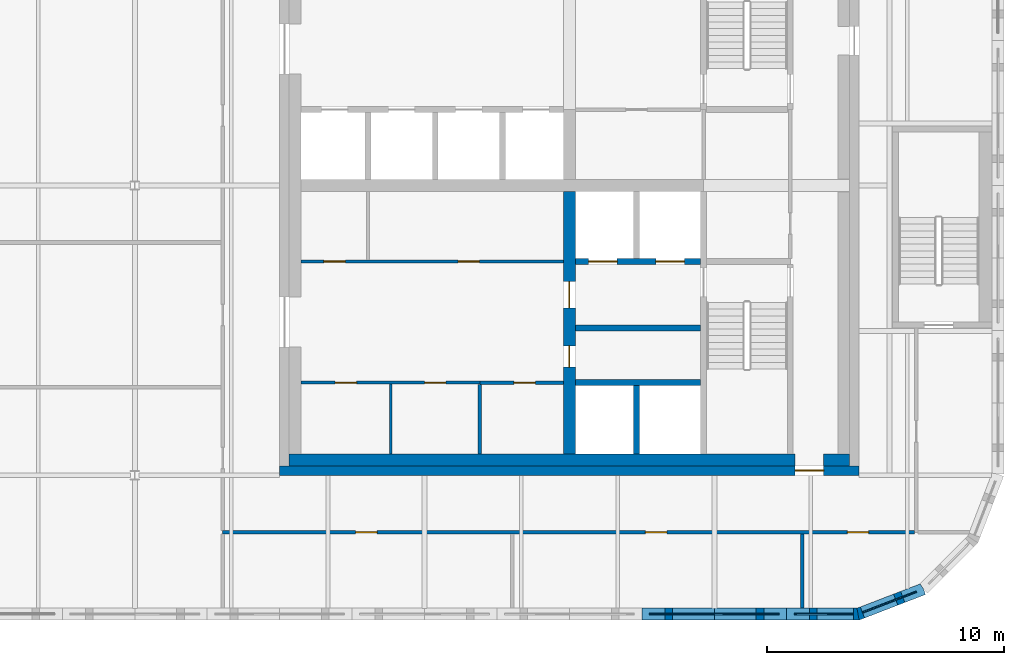
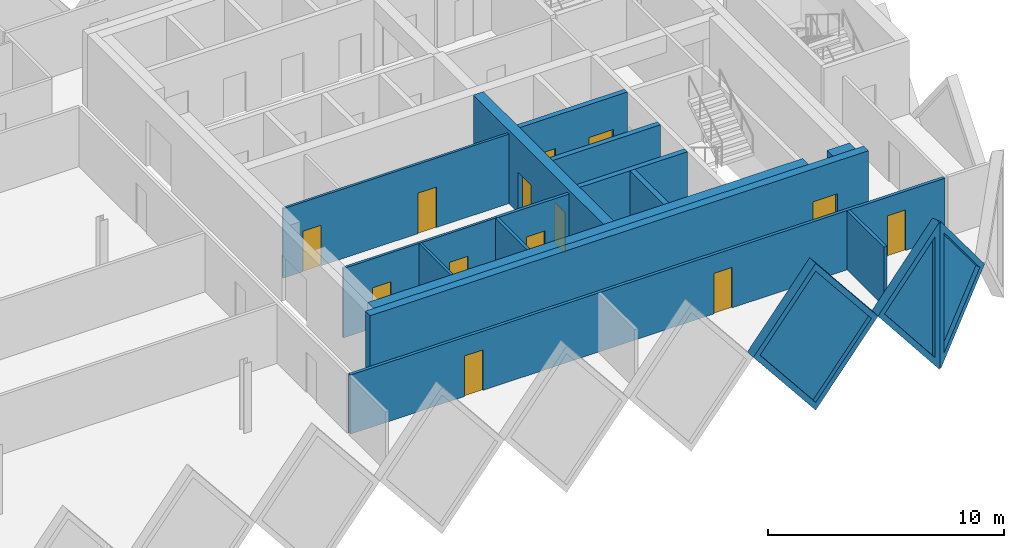
# One storey, part 5 of 10: 18 walls, 13 doors, 3 plates, 16 openings.
"""IFC4 building model written with IfcOpenShell, lengths in metres."""

import ifcopenshell
import ifcopenshell.guid

model = None  # the IFC model being written
_history = None  # IfcOwnerHistory: only IFC2X3 demands one
_inside = {}  # id of a spatial element -> (the spatial element, [elements in it])
_under = {}  # id of a project, library or spatial element -> (it, [spatial elements below it])
_declared = {}  # id of a project -> (the project, [libraries it declares])
_typed = {}  # id of a type object -> (the type object, [elements of that type])
_made_of = {}  # id of a material, layer set ... -> (it, [elements and type objects made of it])


def new_model(schema):
    """Start an empty IFC model of exactly this schema.

    Asked for "IFC4X3", IfcOpenShell would pick the latest addendum, in which some entities
    have other attributes; the version numbers below select the first issue.
    IFC2X3 requires an IfcOwnerHistory on every rooted entity: one is made here for all.
    """
    global model, _history
    if schema == "IFC4X3":
        model = ifcopenshell.file(schema_version=(4, 3, 0, 0))
    else:
        model = ifcopenshell.file(schema=schema)
    _inside.clear()
    _under.clear()
    _declared.clear()
    _typed.clear()
    _made_of.clear()
    _history = None
    if model.schema == "IFC2X3":
        org = make("IfcOrganization", Name="unknown")
        user = make(
            "IfcPersonAndOrganization",
            ThePerson=make("IfcPerson", FamilyName="unknown"),
            TheOrganization=org,
        )
        app = make(
            "IfcApplication",
            ApplicationDeveloper=org,
            Version="unknown",
            ApplicationFullName="unknown",
            ApplicationIdentifier="unknown",
        )
        _history = make(
            "IfcOwnerHistory",
            OwningUser=user,
            OwningApplication=app,
            ChangeAction="ADDED",
            CreationDate=0,
        )
    return model


def make(cls, **values):
    """One entity of the class cls with the attributes given. An attribute that is None is left unset."""
    return model.create_entity(
        cls, **{name: value for name, value in values.items() if value is not None}
    )


def rooted(cls, **values):
    """An entity with a GlobalId (a new one), such as an element, a storey or a relation."""
    return make(cls, GlobalId=ifcopenshell.guid.new(), OwnerHistory=_history, **values)


def si_unit(unit_type, name, prefix=None):
    """IfcSIUnit, for example si_unit("LENGTHUNIT", "METRE", prefix="MILLI")."""
    return make("IfcSIUnit", UnitType=unit_type, Prefix=prefix, Name=name)


def assignment(units):
    """IfcUnitAssignment: the units of a project."""
    return None if units is None else make("IfcUnitAssignment", Units=units)


def point(xyz):
    """IfcCartesianPoint."""
    return None if xyz is None else make("IfcCartesianPoint", Coordinates=xyz)


def direction(xyz):
    """IfcDirection."""
    return None if xyz is None else make("IfcDirection", DirectionRatios=xyz)


def frame(location, z_axis=None, x_axis=None):
    """IfcAxis2Placement3D, a coordinate frame: its origin and axes. An axis left out is left unset."""
    return make(
        "IfcAxis2Placement3D",
        Location=point(location),
        Axis=direction(z_axis),
        RefDirection=direction(x_axis),
    )


def frame_2d(location, x_axis=None):
    """IfcAxis2Placement2D, a coordinate frame in the plane: its origin and x axis."""
    return make(
        "IfcAxis2Placement2D", Location=point(location), RefDirection=direction(x_axis)
    )


def origin():
    """The frame at (0, 0, 0) with its axes left unset."""
    return frame((0.0, 0.0, 0.0))


def place(relative_to, where):
    """IfcLocalPlacement: puts the frame where relative to a parent placement (None: the world)."""
    return make(
        "IfcLocalPlacement", PlacementRelTo=relative_to, RelativePlacement=where
    )


def context(
    kind, dimensions, precision=None, world=None, true_north=None, identifier=None
):
    """IfcGeometricRepresentationContext, for example the 3D "Model" context."""
    return make(
        "IfcGeometricRepresentationContext",
        ContextIdentifier=identifier,
        ContextType=kind,
        CoordinateSpaceDimension=dimensions,
        Precision=precision,
        WorldCoordinateSystem=world,
        TrueNorth=true_north,
    )


def subcontext(parent, identifier, kind, view, scale=None):
    """IfcGeometricRepresentationSubContext, for example "Body" below "Model"."""
    return make(
        "IfcGeometricRepresentationSubContext",
        ContextIdentifier=identifier,
        ContextType=kind,
        ParentContext=parent,
        TargetScale=scale,
        TargetView=view,
    )


def project(units=None, contexts=None):
    """IfcProject with its units and contexts."""
    return rooted(
        "IfcProject",
        Name="project",
        RepresentationContexts=contexts,
        UnitsInContext=assignment(units),
    )


def spatial(cls, under=None, at=None, **own):
    """A site, building, storey or space (cls), placed at a placement, below another one or the project."""
    s = rooted(cls, ObjectPlacement=at, **own)
    if under is not None:
        _under.setdefault(under.id(), (under, []))[1].append(s)
    return s


def polyline(points):
    """IfcPolyline through the points."""
    return make("IfcPolyline", Points=[point(p) for p in points])


def profile(cls, at=None, kind="AREA", **sizes):
    """A parametric profile (cls). Its sizes go by their IFC names, for example OverallWidth=200.0."""
    return make(cls, ProfileType=kind, Position=at, **sizes)


def rectangle(**sizes):
    """IfcRectangleProfileDef."""
    return profile("IfcRectangleProfileDef", **sizes)


def outline(outer, holes=None, kind="AREA"):
    """IfcArbitraryClosedProfileDef: a profile drawn as a closed curve; with holes, ...WithVoids."""
    if holes is None:
        return make("IfcArbitraryClosedProfileDef", ProfileType=kind, OuterCurve=outer)
    return make(
        "IfcArbitraryProfileDefWithVoids",
        ProfileType=kind,
        OuterCurve=outer,
        InnerCurves=holes,
    )


def extrude(swept, where, along, depth):
    """IfcExtrudedAreaSolid: the profile swept, set in the frame where, extruded along a direction by depth."""
    return make(
        "IfcExtrudedAreaSolid",
        SweptArea=swept,
        Position=where,
        ExtrudedDirection=direction(along),
        Depth=depth,
    )


def faces_of(points, faces, orient=None, outer=None):
    """IfcFace entities. A face is a list of loops; a loop is a list of indices into points, from 0.

    orient and outer hold one flag for each loop. By default every Orientation is true, the
    first loop of a face is its IfcFaceOuterBound and the others are IfcFaceBound.
    """
    made = []
    for i, loops in enumerate(faces):
        bounds = []
        for j, loop in enumerate(loops):
            is_outer = j == 0 if outer is None else outer[i][j]
            bounds.append(
                make(
                    "IfcFaceOuterBound" if is_outer else "IfcFaceBound",
                    Bound=make("IfcPolyLoop", Polygon=[points[k] for k in loop]),
                    Orientation=True if orient is None else orient[i][j],
                )
            )
        made.append(make("IfcFace", Bounds=bounds))
    return made


def faceted_brep(points, faces, orient=None, outer=None, voids=None):
    """IfcFacetedBrep: a solid bounded by flat faces; with voids (closed shells), ...WithVoids."""
    shared = [point(p) for p in points]
    hull = make("IfcClosedShell", CfsFaces=faces_of(shared, faces, orient, outer))
    if voids is None:
        return make("IfcFacetedBrep", Outer=hull)
    return make(
        "IfcFacetedBrepWithVoids",
        Outer=hull,
        Voids=[
            make(cls, CfsFaces=faces_of(shared, fs, o, b)) for cls, fs, o, b in voids
        ],
    )


def shape(context_of_items, identifier, shape_type, items):
    """IfcShapeRepresentation: the items that make up one representation, for example the "Body"."""
    return make(
        "IfcShapeRepresentation",
        ContextOfItems=context_of_items,
        RepresentationIdentifier=identifier,
        RepresentationType=shape_type,
        Items=items,
    )


def source(mapping_origin, context_of_items, identifier, shape_type, items):
    """IfcRepresentationMap: a shape defined once, which mapped items show again and again."""
    return make(
        "IfcRepresentationMap",
        MappingOrigin=mapping_origin,
        MappedRepresentation=shape(context_of_items, identifier, shape_type, items),
    )


def transform(
    local_origin,
    x_axis=None,
    y_axis=None,
    z_axis=None,
    scale=None,
    scale2=None,
    scale3=None,
    uniform=True,
):
    """IfcCartesianTransformationOperator3D, or its non-uniform kind. x_axis, y_axis, z_axis: its Axis1, 2, 3."""
    if uniform:
        return make(
            "IfcCartesianTransformationOperator3D",
            Axis1=direction(x_axis),
            Axis2=direction(y_axis),
            LocalOrigin=point(local_origin),
            Scale=scale,
            Axis3=direction(z_axis),
        )
    return make(
        "IfcCartesianTransformationOperator3DnonUniform",
        Axis1=direction(x_axis),
        Axis2=direction(y_axis),
        LocalOrigin=point(local_origin),
        Scale=scale,
        Axis3=direction(z_axis),
        Scale2=scale2,
        Scale3=scale3,
    )


def mapped(mapping_source, mapping_target):
    """IfcMappedItem: shows the shape of a source again, moved by a transform."""
    return make(
        "IfcMappedItem", MappingSource=mapping_source, MappingTarget=mapping_target
    )


def material(Name=None, Category=None):
    """IfcMaterial."""
    return make("IfcMaterial", Name=Name, Category=Category)


def layer(
    of_material, thickness, ventilated=None, Name=None, Category=None, Priority=None
):
    """IfcMaterialLayer: one layer of a wall or slab, of a material (None: an air gap)."""
    return make(
        "IfcMaterialLayer",
        Material=of_material,
        LayerThickness=thickness,
        IsVentilated=ventilated,
        Name=Name,
        Category=Category,
        Priority=Priority,
    )


def layer_set(layers, Name=None):
    """IfcMaterialLayerSet."""
    return make("IfcMaterialLayerSet", MaterialLayers=layers, LayerSetName=Name)


def made_of(thing, what):
    """Note that an element or type object is made of a material, layer set ...; save() writes the relation."""
    if what is not None:
        _made_of.setdefault(what.id(), (what, []))[1].append(thing)
    return thing


def type_object(cls, material=None, **own):
    """A type object (cls), such as IfcWallType, which elements share."""
    return made_of(rooted(cls, **own), material)


def element(
    cls,
    number,
    at=None,
    inside=None,
    cuts=None,
    type_object=None,
    material=None,
    context=None,
    identifier="Body",
    shape_type=None,
    held_by="IfcProductDefinitionShape",
    body=None,
    shapes=None,
    **own,
):
    """One element of the class cls, such as IfcWall. Its Tag is "e" and its number.

    at: its placement. inside: the storey or other place that contains it. cuts: it is an
    opening in that element (IfcRelVoidsElement). A single representation is given by context,
    identifier, shape_type and body (its items); several are given by shapes. held_by: the class
    of the entity that holds the representations. save() writes the other relations.
    """
    e = rooted(cls, Tag="e%d" % number, ObjectPlacement=at, **own)
    if body is not None:
        shapes = [shape(context, identifier, shape_type, body)]
    if shapes is not None:
        e.Representation = make(held_by, Representations=shapes)
    if inside is not None:
        _inside.setdefault(inside.id(), (inside, []))[1].append(e)
    if cuts is not None:
        rooted(
            "IfcRelVoidsElement", RelatingBuildingElement=cuts, RelatedOpeningElement=e
        )
    if type_object is not None:
        _typed.setdefault(type_object.id(), (type_object, []))[1].append(e)
    return made_of(e, material)


def fill(opening, filler):
    """IfcRelFillsElement: the door or window that sits in an opening."""
    return rooted(
        "IfcRelFillsElement",
        RelatingOpeningElement=opening,
        RelatedBuildingElement=filler,
    )


def aggregate(whole, parts):
    """IfcRelAggregates: a whole, such as a stair, and the parts it consists of."""
    return rooted("IfcRelAggregates", RelatingObject=whole, RelatedObjects=parts)


def save(model, path):
    """Write the relations noted so far, then the file.

    IfcRelAggregates (storeys below a building ...), IfcRelContainedInSpatialStructure (elements
    in a storey), IfcRelDefinesByType, IfcRelAssociatesMaterial and IfcRelDeclares: one each for
    every whole, place, type object, material and project.
    """
    for whole, parts in _under.values():
        aggregate(whole, parts)
    for where, things in _inside.values():
        rooted(
            "IfcRelContainedInSpatialStructure",
            RelatedElements=things,
            RelatingStructure=where,
        )
    for kind, things in _typed.values():
        rooted("IfcRelDefinesByType", RelatedObjects=things, RelatingType=kind)
    for what, things in _made_of.values():
        rooted("IfcRelAssociatesMaterial", RelatedObjects=things, RelatingMaterial=what)
    for by, libraries in _declared.values():
        rooted("IfcRelDeclares", RelatingContext=by, RelatedDefinitions=libraries)
    model.write(path)


model = new_model("IFC4")

# Units and contexts
model_context = context("Model", 3, precision=1e-05, world=origin(), true_north=direction((0.0, 1.0)))
body_context = subcontext(model_context, "Body", "Model", "MODEL_VIEW")
ifc_project = project(units=[si_unit("LENGTHUNIT", "METRE"), si_unit("AREAUNIT", "SQUARE_METRE"), si_unit("VOLUMEUNIT", "CUBIC_METRE"), si_unit("PLANEANGLEUNIT", "RADIAN"), si_unit("MASSUNIT", "GRAM", prefix="KILO")], contexts=[model_context])

# Site, building, storey
site_placement = place(None, origin())
site = spatial("IfcSite", under=ifc_project, at=site_placement, CompositionType="ELEMENT")
building_placement = place(site_placement, origin())
building = spatial("IfcBuilding", under=site, at=building_placement, Name="Tessera Gate Towers", CompositionType="ELEMENT")
storey_placement = place(building_placement, frame((0.0, 0.0, 244.5)))
storey = spatial("IfcBuildingStorey", under=building, at=storey_placement, Name="L61", CompositionType="ELEMENT", Elevation=244.5)

# Wall, openings, doors
ifc_material_1 = material(Name="Concrete C40/50", Category="concrete")
ifc_layer_1 = layer(ifc_material_1, 0.25)
ifc_layer_set_1 = layer_set([ifc_layer_1], Name="CORE ENCLOSURE WALL 250")
wall_type_1 = type_object("IfcWallType", Name="CORE ENCLOSURE WALL 250", PredefinedType="SOLIDWALL", material=ifc_layer_set_1)
wall_1_placement = place(storey_placement, frame((48.22509765625, 33.39990234375, 0.0), z_axis=(0.0, 0.0, 1.0), x_axis=(-1.0, 0.0, 0.0)))
wall_1 = element("IfcWall", 1, at=wall_1_placement, inside=storey, type_object=wall_type_1, Name="L61 shaft and stair enclosure wall", PredefinedType="SOLIDWALL", context=body_context, shape_type="SweptSolid", body=[
    extrude(rectangle(XDim=5.275146484375, YDim=0.25, at=frame_2d((2.6376953125, 0.0))), origin(), (0.0, 0.0, 1.0), 3.800048828125),
])
shared_shape_1 = source(origin(), body_context, "Body", "SweptSolid", [
    extrude(rectangle(XDim=1.199951171875, YDim=2.10009765625, at=frame_2d((0.60009765625, 1.050048828125))), frame((0.0, 0.135009765625, 0.0), z_axis=(0.0, -1.0, 0.0), x_axis=(1.0, 0.0, 0.0)), (0.0, 0.0, 1.0), 0.27001953125),
])
opening_1_placement = place(wall_1_placement, frame((3.512451171875, 0.0, 0.0)))
opening_1 = element("IfcOpeningElement", 2, at=opening_1_placement, cuts=wall_1, Name="Opening LD-FF1", PredefinedType="OPENING", context=body_context, shape_type="MappedRepresentation", body=[
    mapped(shared_shape_1, transform((0.0, 0.0, 0.0), scale=1.0)),
])
opening_2_placement = place(wall_1_placement, frame((0.6875, 0.0, 0.0)))
opening_2 = element("IfcOpeningElement", 3, at=opening_2_placement, cuts=wall_1, Name="Opening LD-FF2", PredefinedType="OPENING", context=body_context, shape_type="MappedRepresentation", body=[
    mapped(shared_shape_1, transform((0.0, 0.0, 0.0), scale=1.0)),
])
ifc_material_2 = material(Name="Stainless steel", Category="steel")
door_type_1 = type_object("IfcDoorType", Name="CORE DOOR LD1200 1200x2100", OperationType="DOUBLE_DOOR_SLIDING", PredefinedType="DOOR", material=ifc_material_2)
shared_shape_2 = source(origin(), body_context, "Body", "SweptSolid", [
    extrude(rectangle(XDim=1.199951171875, YDim=2.10009765625, at=frame_2d((0.60009765625, 1.050048828125))), frame((0.0, 0.02490234375, 0.0), z_axis=(0.0, -1.0, 0.0), x_axis=(1.0, 0.0, 0.0)), (0.0, 0.0, 1.0), 0.050048828125),
])
door_1_placement = place(opening_1_placement, origin())
door_1 = element("IfcDoor", 4, at=door_1_placement, inside=storey, type_object=door_type_1, Name="Landing door FF1 L61", OperationType="DOUBLE_DOOR_SLIDING", OverallHeight=2.10009765625, OverallWidth=1.199951171875, PredefinedType="DOOR", context=body_context, shape_type="MappedRepresentation", body=[
    mapped(shared_shape_2, transform((0.0, 0.0, 0.0), scale=1.0)),
])
fill(opening_1, door_1)
door_2_placement = place(opening_2_placement, origin())
door_2 = element("IfcDoor", 5, at=door_2_placement, inside=storey, type_object=door_type_1, Name="Landing door FF2 L61", OperationType="DOUBLE_DOOR_SLIDING", OverallHeight=2.10009765625, OverallWidth=1.199951171875, PredefinedType="DOOR", context=body_context, shape_type="MappedRepresentation", body=[
    mapped(shared_shape_2, transform((0.0, 0.0, 0.0), scale=1.0)),
])
fill(opening_2, door_2)

# Walls
for number, where, z_axis, x_axis, name in (
    (6, (42.949951171875, 28.300048828125, 0.0), (0.0, 0.0, 1.0), (1.0, 0.0, 0.0), "L61 shaft and stair enclosure wall"),
    (7, (42.949951171875, 30.60009765625, 0.0), (0.0, 0.0, 1.0), (1.0, 0.0, 0.0), "L61 shaft and stair enclosure wall"),
):
    element("IfcWall", number, at=place(storey_placement, frame(where, z_axis=z_axis, x_axis=x_axis)), inside=storey, type_object=wall_type_1, Name=name, PredefinedType="SOLIDWALL", context=body_context, shape_type="SweptSolid", body=[
        extrude(rectangle(XDim=5.275146484375, YDim=0.25, at=frame_2d((2.6376953125, 0.0))), origin(), (0.0, 0.0, 1.0), 3.800048828125),
    ])
wall_2_placement = place(storey_placement, frame((45.52490234375, 25.300048828125, 0.0), z_axis=(0.0, 0.0, 1.0), x_axis=(0.0, 1.0, 0.0)))
element("IfcWall", 8, at=wall_2_placement, inside=storey, type_object=wall_type_1, Name="L61 shaft and stair enclosure wall", PredefinedType="SOLIDWALL", context=body_context, shape_type="SweptSolid", body=[
    extrude(rectangle(XDim=2.875, YDim=0.25, at=frame_2d((1.4375, 0.0))), origin(), (0.0, 0.0, 1.0), 3.800048828125),
])

# Wall, openings, doors
ifc_material_3 = material(Name="Gypsum board on steel studs", Category="steel")
ifc_layer_2 = layer(ifc_material_3, 0.1201171875)
ifc_layer_set_2 = layer_set([ifc_layer_2], Name="CORE PARTITION 120")
wall_type_2 = type_object("IfcWallType", Name="CORE PARTITION 120", PredefinedType="PARTITIONING", material=ifc_layer_set_2)
wall_3_placement = place(storey_placement, frame((31.39990234375, 33.39990234375, 0.0), z_axis=(0.0, 0.0, 1.0), x_axis=(1.0, 0.0, 0.0)))
wall_3 = element("IfcWall", 9, at=wall_3_placement, inside=storey, type_object=wall_type_2, Name="L61 core partition", PredefinedType="PARTITIONING", context=body_context, shape_type="SweptSolid", body=[
    extrude(rectangle(XDim=11.050048828125, YDim=0.1201171875, at=frame_2d((5.52490234375, 0.0))), origin(), (0.0, 0.0, 1.0), 3.60009765625),
])
shared_shape_3 = source(origin(), body_context, "Body", "SweptSolid", [
    extrude(rectangle(XDim=0.89990234375, YDim=2.10009765625, at=frame_2d((0.449951171875, 1.050048828125))), frame((0.0, 0.070068359375, 0.0), z_axis=(0.0, -1.0, 0.0), x_axis=(1.0, 0.0, 0.0)), (0.0, 0.0, 1.0), 0.14013671875),
])
opening_3_placement = place(wall_3_placement, frame((0.96240234375, 0.0, 0.0)))
opening_3 = element("IfcOpeningElement", 10, at=opening_3_placement, cuts=wall_3, Name="Opening RD-T1-36-07", PredefinedType="OPENING", context=body_context, shape_type="MappedRepresentation", body=[
    mapped(shared_shape_3, transform((0.0, 0.0, 0.0), scale=1.0)),
])
opening_4_placement = place(wall_3_placement, frame((6.612548828125, 0.0, 0.0)))
opening_4 = element("IfcOpeningElement", 11, at=opening_4_placement, cuts=wall_3, Name="Opening RD-T1-36-08", PredefinedType="OPENING", context=body_context, shape_type="MappedRepresentation", body=[
    mapped(shared_shape_3, transform((0.0, 0.0, 0.0), scale=1.0)),
])
ifc_material_4 = material(Name="Hollow steel fire door", Category="steel")
door_type_2 = type_object("IfcDoorType", Name="CORE DOOR RD 900x2100", OperationType="NOTDEFINED", PredefinedType="DOOR", material=ifc_material_4)
shared_shape_4 = source(origin(), body_context, "Body", "SweptSolid", [
    extrude(rectangle(XDim=0.89990234375, YDim=2.10009765625, at=frame_2d((0.449951171875, 1.050048828125))), frame((0.0, 0.02490234375, 0.0), z_axis=(0.0, -1.0, 0.0), x_axis=(1.0, 0.0, 0.0)), (0.0, 0.0, 1.0), 0.050048828125),
])
door_3_placement = place(opening_3_placement, origin())
door_3 = element("IfcDoor", 12, at=door_3_placement, inside=storey, type_object=door_type_2, Name="Core room door", OperationType="SINGLE_SWING_LEFT", OverallHeight=2.10009765625, OverallWidth=0.89990234375, PredefinedType="DOOR", context=body_context, shape_type="MappedRepresentation", body=[
    mapped(shared_shape_4, transform((0.0, 0.0, 0.0), scale=1.0)),
])
fill(opening_3, door_3)
door_4_placement = place(opening_4_placement, origin())
door_4 = element("IfcDoor", 13, at=door_4_placement, inside=storey, type_object=door_type_2, Name="Core room door", OperationType="SINGLE_SWING_RIGHT", OverallHeight=2.10009765625, OverallWidth=0.89990234375, PredefinedType="DOOR", context=body_context, shape_type="MappedRepresentation", body=[
    mapped(shared_shape_4, transform((0.0, 0.0, 0.0), scale=1.0)),
])
fill(opening_4, door_4)

wall_4_placement = place(storey_placement, frame((38.925048828125, 28.300048828125, 0.0), z_axis=(0.0, 0.0, 1.0), x_axis=(-1.0, 0.0, 0.0)))
wall_4 = element("IfcWall", 14, at=wall_4_placement, inside=storey, type_object=wall_type_2, Name="L61 core partition", PredefinedType="PARTITIONING", context=body_context, shape_type="SweptSolid", body=[
    extrude(rectangle(XDim=7.525146484375, YDim=0.1201171875, at=frame_2d((3.7626953125, 0.0))), origin(), (0.0, 0.0, 1.0), 3.60009765625),
])
opening_5_placement = place(wall_4_placement, frame((5.1875, 0.0, 0.0)))
opening_5 = element("IfcOpeningElement", 15, at=opening_5_placement, cuts=wall_4, Name="Opening RD-T1-36-09", PredefinedType="OPENING", context=body_context, shape_type="MappedRepresentation", body=[
    mapped(shared_shape_3, transform((0.0, 0.0, 0.0), scale=1.0)),
])
opening_6_placement = place(wall_4_placement, frame((1.425048828125, 0.0, 0.0)))
opening_6 = element("IfcOpeningElement", 16, at=opening_6_placement, cuts=wall_4, Name="Opening RD-T1-36-10", PredefinedType="OPENING", context=body_context, shape_type="MappedRepresentation", body=[
    mapped(shared_shape_3, transform((0.0, 0.0, 0.0), scale=1.0)),
])
door_5_placement = place(opening_5_placement, origin())
door_5 = element("IfcDoor", 17, at=door_5_placement, inside=storey, type_object=door_type_2, Name="Core room door", OperationType="SINGLE_SWING_RIGHT", OverallHeight=2.10009765625, OverallWidth=0.89990234375, PredefinedType="DOOR", context=body_context, shape_type="MappedRepresentation", body=[
    mapped(shared_shape_4, transform((0.0, 0.0, 0.0), scale=1.0)),
])
fill(opening_5, door_5)
door_6_placement = place(opening_6_placement, origin())
door_6 = element("IfcDoor", 18, at=door_6_placement, inside=storey, type_object=door_type_2, Name="Core room door", OperationType="SINGLE_SWING_LEFT", OverallHeight=2.10009765625, OverallWidth=0.89990234375, PredefinedType="DOOR", context=body_context, shape_type="MappedRepresentation", body=[
    mapped(shared_shape_4, transform((0.0, 0.0, 0.0), scale=1.0)),
])
fill(opening_6, door_6)

# Wall
wall_5_placement = place(storey_placement, frame((35.175048828125, 25.300048828125, 0.0), z_axis=(0.0, 0.0, 1.0), x_axis=(0.0, 1.0, 0.0)))
element("IfcWall", 19, at=wall_5_placement, inside=storey, type_object=wall_type_2, Name="L61 core partition", PredefinedType="PARTITIONING", context=body_context, shape_type="SweptSolid", body=[
    extrude(rectangle(XDim=2.93994140625, YDim=0.1201171875, at=frame_2d((1.469970703125, 0.0))), origin(), (0.0, 0.0, 1.0), 3.60009765625),
])

# Wall, opening, door
ifc_material_5 = material(Name="Concrete C40/50", Category="concrete")
ifc_layer_3 = layer(ifc_material_5, 0.39990234375)
ifc_layer_set_3 = layer_set([ifc_layer_3], Name="CORE SHEAR WALL 400 C40/50")
wall_type_3 = type_object("IfcWallType", Name="CORE SHEAR WALL 400 C40/50", PredefinedType="SHEAR", material=ifc_layer_set_3)
wall_6_placement = place(storey_placement, frame((54.89990234375, 24.60009765625, 0.0), z_axis=(0.0, 0.0, 1.0), x_axis=(-1.0, 0.0, 0.0)))
wall_6 = element("IfcWall", 20, at=wall_6_placement, inside=storey, type_object=wall_type_3, Name="Core wall S L61", PredefinedType="SHEAR", context=body_context, shape_type="SweptSolid", body=[
    extrude(rectangle(XDim=24.39990234375, YDim=0.39990234375, at=frame_2d((12.199951171875, 0.0))), origin(), (0.0, 0.0, 1.0), 3.800048828125),
])
shared_shape_5 = source(origin(), body_context, "Body", "SweptSolid", [
    extrude(rectangle(XDim=1.199951171875, YDim=2.10009765625, at=frame_2d((0.60009765625, 1.050048828125))), frame((0.0, 0.2099609375, 0.0), z_axis=(0.0, -1.0, 0.0), x_axis=(1.0, 0.0, 0.0)), (0.0, 0.0, 1.0), 0.419921875),
])
opening_7_placement = place(wall_6_placement, frame((1.5, 0.0, 0.0)))
opening_7 = element("IfcOpeningElement", 21, at=opening_7_placement, cuts=wall_6, Name="Opening ED-T1-36-01", PredefinedType="OPENING", context=body_context, shape_type="MappedRepresentation", body=[
    mapped(shared_shape_5, transform((0.0, 0.0, 0.0), scale=1.0)),
])
ifc_material_6 = material(Name="Hollow steel fire door", Category="steel")
door_type_3 = type_object("IfcDoorType", Name="CORE DOOR ED 1200x2100", OperationType="NOTDEFINED", PredefinedType="DOOR", material=ifc_material_6)
door_7_placement = place(opening_7_placement, origin())
door_7 = element("IfcDoor", 22, at=door_7_placement, inside=storey, type_object=door_type_3, Name="Core exit door", OperationType="SINGLE_SWING_LEFT", OverallHeight=2.10009765625, OverallWidth=1.199951171875, PredefinedType="DOOR", context=body_context, shape_type="MappedRepresentation", body=[
    mapped(shared_shape_2, transform((0.0, 0.0, 0.0), scale=1.0)),
])
fill(opening_7, door_7)

# Wall, openings, doors
ifc_material_7 = material(Name="Concrete C40/50", Category="concrete")
ifc_layer_4 = layer(ifc_material_7, 0.5)
ifc_layer_set_4 = layer_set([ifc_layer_4], Name="CORE SPINE WALL 500 C40/50")
wall_type_4 = type_object("IfcWallType", Name="CORE SPINE WALL 500 C40/50", PredefinedType="SHEAR", material=ifc_layer_set_4)
wall_7_placement = place(storey_placement, frame((42.699951171875, 36.35009765625, 0.0), z_axis=(0.0, 0.0, 1.0), x_axis=(0.0, -1.0, 0.0)))
wall_7 = element("IfcWall", 23, at=wall_7_placement, inside=storey, type_object=wall_type_4, Name="Core wall spine L61", PredefinedType="SHEAR", context=body_context, shape_type="SweptSolid", body=[
    extrude(rectangle(XDim=11.050048828125, YDim=0.5, at=frame_2d((5.52490234375, 0.0))), origin(), (0.0, 0.0, 1.0), 3.800048828125),
])
shared_shape_6 = source(origin(), body_context, "Body", "SweptSolid", [
    extrude(rectangle(XDim=0.89990234375, YDim=2.10009765625, at=frame_2d((0.449951171875, 1.050048828125))), frame((0.0, 0.260009765625, 0.0), z_axis=(0.0, -1.0, 0.0), x_axis=(1.0, 0.0, 0.0)), (0.0, 0.0, 1.0), 0.52001953125),
])
opening_8_placement = place(wall_7_placement, frame((6.5, 0.0, 0.0)))
opening_8 = element("IfcOpeningElement", 24, at=opening_8_placement, cuts=wall_7, Name="Opening RD-T1-36-05", PredefinedType="OPENING", context=body_context, shape_type="MappedRepresentation", body=[
    mapped(shared_shape_6, transform((0.0, 0.0, 0.0), scale=1.0)),
])
shared_shape_7 = source(origin(), body_context, "Body", "SweptSolid", [
    extrude(rectangle(XDim=1.10009765625, YDim=2.10009765625, at=frame_2d((0.550048828125, 1.050048828125))), frame((0.0, 0.260009765625, 0.0), z_axis=(0.0, -1.0, 0.0), x_axis=(1.0, 0.0, 0.0)), (0.0, 0.0, 1.0), 0.52001953125),
])
opening_9_placement = place(wall_7_placement, frame((3.800048828125, 0.0, 0.0)))
opening_9 = element("IfcOpeningElement", 25, at=opening_9_placement, cuts=wall_7, Name="Opening FD-T1-36-06", PredefinedType="OPENING", context=body_context, shape_type="MappedRepresentation", body=[
    mapped(shared_shape_7, transform((0.0, 0.0, 0.0), scale=1.0)),
])
door_8_placement = place(opening_8_placement, origin())
door_8 = element("IfcDoor", 26, at=door_8_placement, inside=storey, type_object=door_type_2, Name="Core room door", OperationType="SINGLE_SWING_RIGHT", OverallHeight=2.10009765625, OverallWidth=0.89990234375, PredefinedType="DOOR", context=body_context, shape_type="MappedRepresentation", body=[
    mapped(shared_shape_4, transform((0.0, 0.0, 0.0), scale=1.0)),
])
fill(opening_8, door_8)
ifc_material_8 = material(Name="Hollow steel fire door", Category="steel")
door_type_4 = type_object("IfcDoorType", Name="CORE DOOR FD 1100x2100", OperationType="NOTDEFINED", PredefinedType="DOOR", material=ifc_material_8)
shared_shape_8 = source(origin(), body_context, "Body", "SweptSolid", [
    extrude(rectangle(XDim=1.10009765625, YDim=2.10009765625, at=frame_2d((0.550048828125, 1.050048828125))), frame((0.0, 0.02490234375, 0.0), z_axis=(0.0, -1.0, 0.0), x_axis=(1.0, 0.0, 0.0)), (0.0, 0.0, 1.0), 0.050048828125),
])
door_9_placement = place(opening_9_placement, origin())
door_9 = element("IfcDoor", 27, at=door_9_placement, inside=storey, type_object=door_type_4, Name="Fire-fighting lobby door", OperationType="SINGLE_SWING_LEFT", OverallHeight=2.10009765625, OverallWidth=1.10009765625, PredefinedType="DOOR", context=body_context, shape_type="MappedRepresentation", body=[
    mapped(shared_shape_8, transform((0.0, 0.0, 0.0), scale=1.0)),
])
fill(opening_9, door_9)

# Walls
ifc_material_9 = material(Name="Concrete C40/50", Category="concrete")
ifc_layer_5 = layer(ifc_material_9, 0.5)
ifc_layer_set_5 = layer_set([ifc_layer_5], Name="CORE WALL THICKENING 500")
wall_type_5 = type_object("IfcWallType", Name="CORE WALL THICKENING 500", PredefinedType="SOLIDWALL", material=ifc_layer_set_5)
wall_8_placement = place(storey_placement, frame((30.89990234375, 25.050048828125, 0.0), z_axis=(0.0, 0.0, 1.0), x_axis=(1.0, 0.0, 0.0)))
element("IfcWall", 28, at=wall_8_placement, inside=storey, type_object=wall_type_5, Name="Core wall thickening S L61", PredefinedType="SOLIDWALL", context=body_context, shape_type="SweptSolid", body=[
    extrude(rectangle(XDim=21.300048828125, YDim=0.5, at=frame_2d((10.64990234375, 0.0))), origin(), (0.0, 0.0, 1.0), 3.800048828125),
])
wall_9_placement = place(storey_placement, frame((53.39990234375, 25.050048828125, 0.0), z_axis=(0.0, 0.0, 1.0), x_axis=(1.0, 0.0, 0.0)))
element("IfcWall", 29, at=wall_9_placement, inside=storey, type_object=wall_type_5, Name="Core wall thickening S L61", PredefinedType="SOLIDWALL", context=body_context, shape_type="SweptSolid", body=[
    extrude(rectangle(XDim=1.10009765625, YDim=0.5, at=frame_2d((0.550048828125, 0.0))), origin(), (0.0, 0.0, 1.0), 3.800048828125),
])

# Wall, openings, doors
ifc_material_10 = material(Name="Gypsum board on steel studs, mineral wool", Category="steel")
ifc_layer_6 = layer(ifc_material_10, 0.14990234375)
ifc_layer_set_6 = layer_set([ifc_layer_6], Name="CORRIDOR WALL 150")
wall_type_6 = type_object("IfcWallType", Name="CORRIDOR WALL 150", PredefinedType="PARTITIONING", material=ifc_layer_set_6)
wall_10_placement = place(storey_placement, frame((57.22412109375, 22.0, 0.0), z_axis=(0.0, 0.0, 1.0), x_axis=(-1.0, 0.0, 0.0)))
wall_10 = element("IfcWall", 30, at=wall_10_placement, inside=storey, type_object=wall_type_6, Name="T1-L61-PW-006", PredefinedType="PARTITIONING", context=body_context, shape_type="SweptSolid", body=[
    extrude(rectangle(XDim=29.1240234375, YDim=0.14990234375, at=frame_2d((14.56201171875, 0.0))), origin(), (0.0, 0.0, 1.0), 3.06689453125),
])
shared_shape_9 = source(origin(), body_context, "Body", "SweptSolid", [
    extrude(rectangle(XDim=0.89990234375, YDim=2.10009765625, at=frame_2d((0.449951171875, 1.050048828125))), frame((0.0, 0.0849609375, 0.0), z_axis=(0.0, -1.0, 0.0), x_axis=(1.0, 0.0, 0.0)), (0.0, 0.0, 1.0), 0.169921875),
])
opening_10_placement = place(wall_10_placement, frame((1.923095703125, 0.0, 0.0)))
opening_10 = element("IfcOpeningElement", 31, at=opening_10_placement, cuts=wall_10, Name="Opening D890FD60-A21-01", PredefinedType="OPENING", context=body_context, shape_type="MappedRepresentation", body=[
    mapped(shared_shape_9, transform((0.0, 0.0, 0.0), scale=1.0)),
])
opening_11_placement = place(wall_10_placement, frame((22.6240234375, 0.0, 0.0)))
opening_11 = element("IfcOpeningElement", 32, at=opening_11_placement, cuts=wall_10, Name="Opening D890FD60-A21-10", PredefinedType="OPENING", context=body_context, shape_type="MappedRepresentation", body=[
    mapped(shared_shape_9, transform((0.0, 0.0, 0.0), scale=1.0)),
])
opening_12_placement = place(wall_10_placement, frame((10.424072265625, 0.0, 0.0)))
opening_12 = element("IfcOpeningElement", 33, at=opening_12_placement, cuts=wall_10, Name="Opening D890FD60-A21-12", PredefinedType="OPENING", context=body_context, shape_type="MappedRepresentation", body=[
    mapped(shared_shape_9, transform((0.0, 0.0, 0.0), scale=1.0)),
])
ifc_material_11 = material(Name="Timber door leaf in steel frame", Category="steel")
door_type_5 = type_object("IfcDoorType", Name="CORRIDOR DOOR 900 FD60", OperationType="NOTDEFINED", PredefinedType="DOOR", material=ifc_material_11)
door_10_placement = place(opening_10_placement, origin())
door_10 = element("IfcDoor", 34, at=door_10_placement, inside=storey, type_object=door_type_5, Name="T1-L61-PD-002", OperationType="SINGLE_SWING_RIGHT", OverallHeight=2.10009765625, OverallWidth=0.89990234375, PredefinedType="DOOR", context=body_context, shape_type="MappedRepresentation", body=[
    mapped(shared_shape_4, transform((0.0, 0.0, 0.0), scale=1.0)),
])
fill(opening_10, door_10)
door_11_placement = place(opening_11_placement, origin())
door_11 = element("IfcDoor", 35, at=door_11_placement, inside=storey, type_object=door_type_5, Name="T1-L61-PD-018", OperationType="SINGLE_SWING_RIGHT", OverallHeight=2.10009765625, OverallWidth=0.89990234375, PredefinedType="DOOR", context=body_context, shape_type="MappedRepresentation", body=[
    mapped(shared_shape_4, transform((0.0, 0.0, 0.0), scale=1.0)),
])
fill(opening_11, door_11)
door_12_placement = place(opening_12_placement, origin())
door_12 = element("IfcDoor", 36, at=door_12_placement, inside=storey, type_object=door_type_5, Name="T1-L61-PD-020", OperationType="SINGLE_SWING_RIGHT", OverallHeight=2.10009765625, OverallWidth=0.89990234375, PredefinedType="DOOR", context=body_context, shape_type="MappedRepresentation", body=[
    mapped(shared_shape_4, transform((0.0, 0.0, 0.0), scale=1.0)),
])
fill(opening_12, door_12)

# Wall, opening, door
ifc_material_12 = material(Name="Gypsum board on steel studs", Category="steel")
ifc_layer_7 = layer(ifc_material_12, 0.14990234375)
ifc_layer_set_7 = layer_set([ifc_layer_7], Name="SERVICE ROOM WALL 150")
wall_type_7 = type_object("IfcWallType", Name="SERVICE ROOM WALL 150", PredefinedType="PARTITIONING", material=ifc_layer_set_7)
wall_11_placement = place(storey_placement, frame((42.449951171875, 28.300048828125, 0.0), z_axis=(0.0, 0.0, 1.0), x_axis=(-1.0, 0.0, 0.0)))
wall_11 = element("IfcWall", 37, at=wall_11_placement, inside=storey, type_object=wall_type_7, Name="L61 service room wall", PredefinedType="PARTITIONING", context=body_context, shape_type="SweptSolid", body=[
    extrude(rectangle(XDim=3.52490234375, YDim=0.14990234375, at=frame_2d((1.762451171875, 0.0))), origin(), (0.0, 0.0, 1.0), 3.60009765625),
])
opening_13_placement = place(wall_11_placement, frame((1.1875, 0.0, 0.0)))
opening_13 = element("IfcOpeningElement", 38, at=opening_13_placement, cuts=wall_11, Name="Opening RD-T1-36-13", PredefinedType="OPENING", context=body_context, shape_type="MappedRepresentation", body=[
    mapped(shared_shape_9, transform((0.0, 0.0, 0.0), scale=1.0)),
])
door_13_placement = place(opening_13_placement, origin())
door_13 = element("IfcDoor", 39, at=door_13_placement, inside=storey, type_object=door_type_2, Name="Core room door", OperationType="SINGLE_SWING_LEFT", OverallHeight=2.10009765625, OverallWidth=0.89990234375, PredefinedType="DOOR", context=body_context, shape_type="MappedRepresentation", body=[
    mapped(shared_shape_4, transform((0.0, 0.0, 0.0), scale=1.0)),
])
fill(opening_13, door_13)

# Walls
wall_12_placement = place(storey_placement, frame((38.925048828125, 25.300048828125, 0.0), z_axis=(0.0, 0.0, 1.0), x_axis=(0.0, 1.0, 0.0)))
element("IfcWall", 40, at=wall_12_placement, inside=storey, type_object=wall_type_7, Name="L61 service room wall", PredefinedType="PARTITIONING", context=body_context, shape_type="SweptSolid", body=[
    extrude(rectangle(XDim=2.925048828125, YDim=0.14990234375, at=frame_2d((1.46240234375, 0.0))), origin(), (0.0, 0.0, 1.0), 3.60009765625),
])
ifc_material_13 = material(Name="Gypsum board on steel studs, mineral wool", Category="steel")
ifc_layer_8 = layer(ifc_material_13, 0.14990234375)
ifc_layer_set_8 = layer_set([ifc_layer_8], Name="TENANCY WALL 150")
wall_type_8 = type_object("IfcWallType", Name="TENANCY WALL 150", PredefinedType="PARTITIONING", material=ifc_layer_set_8)
wall_13_placement = place(storey_placement, frame((52.5, 18.800048828125, 0.0), z_axis=(0.0, 0.0, 1.0), x_axis=(0.0, 1.0, 0.0)))
element("IfcWall", 41, at=wall_13_placement, inside=storey, type_object=wall_type_8, Name="T1-L61-PW-003", PredefinedType="PARTITIONING", context=body_context, shape_type="SweptSolid", body=[
    extrude(rectangle(XDim=3.1240234375, YDim=0.14990234375, at=frame_2d((1.56201171875, 0.0))), origin(), (0.0, 0.0, 1.0), 3.06689453125),
])

# Wall, opening, plate
ifc_material_14 = material(Name="Precast concrete C60/75 white", Category="concrete")
ifc_layer_9 = layer(ifc_material_14, 0.5)
ifc_layer_set_9 = layer_set([ifc_layer_9], Name="TS1 tessera")
wall_type_9 = type_object("IfcWallType", Name="TS1 tessera", PredefinedType="SOLIDWALL", material=ifc_layer_set_9)
shared_shape_10 = source(origin(), body_context, "Body", "SweptSolid", [
    extrude(outline(polyline([(3.050048828125, 0.0), (6.10009765625, 3.800048828125), (3.050048828125, 7.60009765625), (0.0, 3.800048828125), (3.050048828125, 0.0)])), frame((0.0, 0.25, 0.0), z_axis=(0.0, -1.0, 0.0), x_axis=(1.0, 0.0, 0.0)), (0.0, 0.0, 1.0), 0.5),
])
wall_14_placement = place(storey_placement, frame((45.75, 18.550048828125, -3.800048828125), z_axis=(0.0, 0.0, 1.0), x_axis=(1.0, 0.0, 0.0)))
wall_14 = element("IfcWall", 42, at=wall_14_placement, inside=storey, type_object=wall_type_9, Name="Precast tessera T1 TS1-1063", PredefinedType="SOLIDWALL", context=body_context, shape_type="MappedRepresentation", body=[
    mapped(shared_shape_10, transform((0.0, 0.0, 0.0), scale=1.0)),
])
shared_shape_11 = source(origin(), body_context, "Body", "SweptSolid", [
    extrude(outline(polyline([(3.050048828125, 0.3994140625), (5.779541015625, 3.800048828125), (3.050048828125, 7.20068359375), (0.320556640625, 3.800048828125), (3.050048828125, 0.3994140625)])), frame((0.0, 0.260009765625, 0.0), z_axis=(0.0, -1.0, 0.0), x_axis=(1.0, 0.0, 0.0)), (0.0, 0.0, 1.0), 0.52001953125),
])
opening_14_placement = place(wall_14_placement, origin())
opening_14 = element("IfcOpeningElement", 43, at=opening_14_placement, cuts=wall_14, Name="Opening T1-PL2-2165", PredefinedType="OPENING", context=body_context, shape_type="MappedRepresentation", body=[
    mapped(shared_shape_11, transform((0.0, 0.0, 0.0), scale=1.0)),
])
ifc_material_15 = material(Name="Low-e laminated glass", Category="glass")
ifc_layer_10 = layer(ifc_material_15, 0.06005859375)
ifc_layer_set_10 = layer_set([ifc_layer_10], Name="PL2 rhombic pane")
plate_type = type_object("IfcPlateType", Name="PL2 rhombic pane", PredefinedType="SHEET", material=ifc_layer_set_10)
shared_shape_12 = source(origin(), body_context, "Body", "SweptSolid", [
    extrude(outline(polyline([(3.050048828125, 0.3994140625), (5.779541015625, 3.800048828125), (3.050048828125, 7.20068359375), (0.320556640625, 3.800048828125), (3.050048828125, 0.3994140625)])), frame((0.0, 0.030029296875, 0.0), z_axis=(0.0, -1.0, 0.0), x_axis=(1.0, 0.0, 0.0)), (0.0, 0.0, 1.0), 0.06005859375),
])
plate_1_placement = place(opening_14_placement, origin())
plate_1 = element("IfcPlate", 44, at=plate_1_placement, inside=storey, type_object=plate_type, Name="Glass pane T1 PL2-2165", PredefinedType="SHEET", context=body_context, shape_type="MappedRepresentation", body=[
    mapped(shared_shape_12, transform((0.0, 0.0, 0.0), scale=1.0)),
])
fill(opening_14, plate_1)

ifc_material_16 = material(Name="Precast concrete C60/75 white", Category="concrete")
ifc_layer_11 = layer(ifc_material_16, 0.5)
ifc_layer_set_11 = layer_set([ifc_layer_11], Name="TS3 corner tessera")
wall_type_10 = type_object("IfcWallType", Name="TS3 corner tessera", PredefinedType="SOLIDWALL", material=ifc_layer_set_11)
shared_shape_13 = source(origin(), body_context, "Body", "Brep", [
    faceted_brep([(3.00341796875, -0.25, 0.0), (3.050048828125, -0.25, 0.06005859375), (3.050048828125, -0.25, 7.5400390625), (3.00341796875, -0.25, 7.60009765625), (0.0, -0.25, 3.800048828125), (0.0, 0.25, 3.800048828125), (2.956787109375, 0.25, 7.541259765625), (2.956787109375, 0.25, 0.058837890625), (3.00341796875, 0.000244140625, 0.0), (3.00341796875, 0.000244140625, 7.60009765625)], [[[0, 1, 2, 3, 4]], [[5, 6, 7]], [[1, 0, 8]], [[9, 3, 2]], [[6, 5, 4, 3, 9]], [[5, 7, 8, 0, 4]], [[1, 8, 7, 6, 9, 2]]]),
])
wall_15_placement = place(storey_placement, frame((51.85009765625, 18.550048828125, -3.800048828125), z_axis=(0.0, 0.0, 1.0), x_axis=(1.0, 0.0, 0.0)))
wall_15 = element("IfcWall", 45, at=wall_15_placement, inside=storey, type_object=wall_type_10, Name="Precast corner tessera T1 TS3-1403", PredefinedType="SOLIDWALL", context=body_context, shape_type="MappedRepresentation", body=[
    mapped(shared_shape_13, transform((0.0, 0.0, 0.0), scale=1.0)),
])
shared_shape_14 = source(origin(), body_context, "Body", "SweptSolid", [
    extrude(outline(polyline([(2.803466796875, 6.94384765625), (0.318603515625, 3.800048828125), (2.803466796875, 0.65625), (2.803466796875, 6.94384765625)])), frame((0.0, 0.260009765625, 0.0), z_axis=(0.0, -1.0, 0.0), x_axis=(1.0, 0.0, 0.0)), (0.0, 0.0, 1.0), 0.52001953125),
])
opening_15_placement = place(wall_15_placement, origin())
opening_15 = element("IfcOpeningElement", 46, at=opening_15_placement, cuts=wall_15, Name="Opening T1-PL2-2166", PredefinedType="OPENING", context=body_context, shape_type="MappedRepresentation", body=[
    mapped(shared_shape_14, transform((0.0, 0.0, 0.0), scale=1.0)),
])
shared_shape_15 = source(origin(), body_context, "Body", "SweptSolid", [
    extrude(outline(polyline([(2.803466796875, 6.94384765625), (0.318603515625, 3.800048828125), (2.803466796875, 0.65625), (2.803466796875, 6.94384765625)])), frame((0.0, 0.030029296875, 0.0), z_axis=(0.0, -1.0, 0.0), x_axis=(1.0, 0.0, 0.0)), (0.0, 0.0, 1.0), 0.06005859375),
])
plate_2_placement = place(opening_15_placement, origin())
plate_2 = element("IfcPlate", 47, at=plate_2_placement, inside=storey, type_object=plate_type, Name="Glass pane T1 PL2-2166", PredefinedType="SHEET", context=body_context, shape_type="MappedRepresentation", body=[
    mapped(shared_shape_15, transform((0.0, 0.0, 0.0), scale=1.0)),
])
fill(opening_15, plate_2)

shared_shape_16 = source(origin(), body_context, "Body", "Brep", [
    faceted_brep([(0.046630859375, -0.25, 0.0), (2.9970703125, -0.25, 3.800048828125), (0.046630859375, -0.25, 7.60009765625), (0.0, -0.25, 7.541259765625), (0.0, -0.25, 0.058837890625), (0.09326171875, 0.25, 7.5400390625), (2.9443359375, 0.25, 3.8681640625), (2.9443359375, 0.25, 3.73193359375), (0.09326171875, 0.25, 0.06005859375), (2.9970703125, 0.00048828125, 3.800048828125), (0.046630859375, 0.0, 0.0), (0.046630859375, 0.0, 7.60009765625)], [[[0, 1, 2, 3, 4]], [[5, 6, 7, 8]], [[8, 7, 9, 1, 0, 10]], [[6, 5, 11, 2, 1, 9]], [[3, 2, 11]], [[10, 0, 4]], [[8, 10, 4, 3, 11, 5]], [[9, 7, 6]]]),
])
wall_16_placement = place(storey_placement, frame((54.81005859375, 18.533203125, -3.800048828125), z_axis=(0.0, 0.0, 1.0), x_axis=(0.932990326376, 0.359901446078, 0.0)))
wall_16 = element("IfcWall", 48, at=wall_16_placement, inside=storey, type_object=wall_type_10, Name="Precast corner tessera T1 TS3-1404", PredefinedType="SOLIDWALL", context=body_context, shape_type="MappedRepresentation", body=[
    mapped(shared_shape_16, transform((0.0, 0.0, 0.0), scale=1.0)),
])
shared_shape_17 = source(origin(), body_context, "Body", "SweptSolid", [
    extrude(outline(polyline([(0.24658203125, 0.665283203125), (2.6806640625, 3.800048828125), (0.24658203125, 6.934814453125), (0.24658203125, 0.665283203125)])), frame((0.0, 0.260009765625, 0.0), z_axis=(0.0, -1.0, 0.0), x_axis=(1.0, 0.0, 0.0)), (0.0, 0.0, 1.0), 0.52001953125),
])
opening_16_placement = place(wall_16_placement, origin())
opening_16 = element("IfcOpeningElement", 49, at=opening_16_placement, cuts=wall_16, Name="Opening T1-PL2-2167", PredefinedType="OPENING", context=body_context, shape_type="MappedRepresentation", body=[
    mapped(shared_shape_17, transform((0.0, 0.0, 0.0), scale=1.0)),
])
shared_shape_18 = source(origin(), body_context, "Body", "SweptSolid", [
    extrude(outline(polyline([(0.24658203125, 0.665283203125), (2.6806640625, 3.800048828125), (0.24658203125, 6.934814453125), (0.24658203125, 0.665283203125)])), frame((0.0, 0.030029296875, 0.0), z_axis=(0.0, -1.0, 0.0), x_axis=(1.0, 0.0, 0.0)), (0.0, 0.0, 1.0), 0.06005859375),
])
plate_3_placement = place(opening_16_placement, origin())
plate_3 = element("IfcPlate", 50, at=plate_3_placement, inside=storey, type_object=plate_type, Name="Glass pane T1 PL2-2167", PredefinedType="SHEET", context=body_context, shape_type="MappedRepresentation", body=[
    mapped(shared_shape_18, transform((0.0, 0.0, 0.0), scale=1.0)),
])
fill(opening_16, plate_3)

save(model, "model.ifc")
